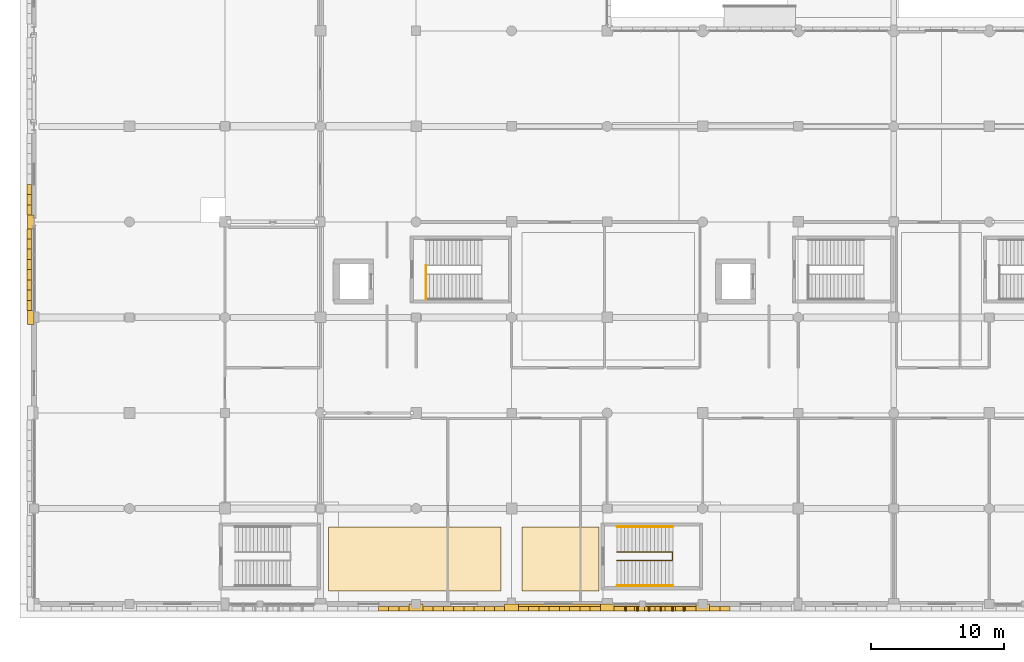
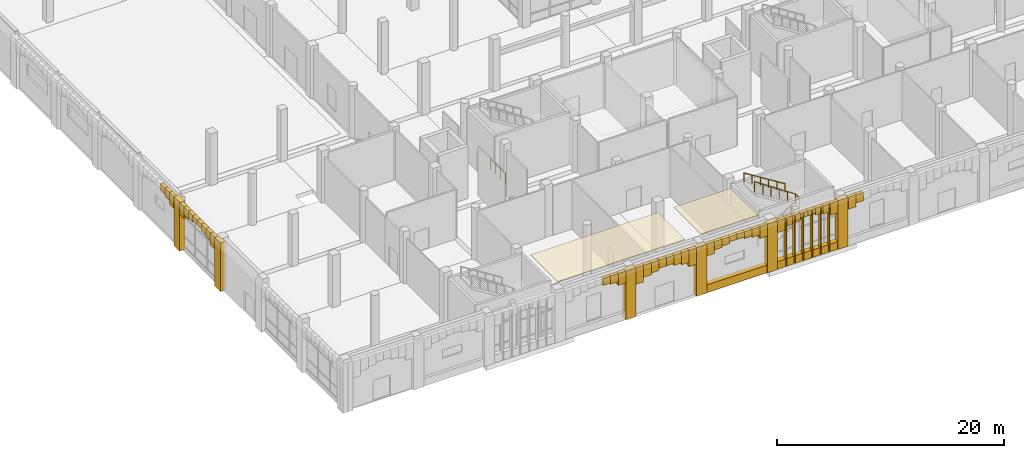
# One storey, part 69 of 85: 56 coverings, 4 railings.
"""IFC4 building model written with IfcOpenShell, lengths in metres."""

from ifc_helpers import new_model, si_unit, direction, frame, frame_2d, origin, origin_2d, place, context, subcontext, project, spatial, polyline, rectangle, circle, outline, extrude, material, layer, layer_set, type_object, element, save


model = new_model("IFC4")

# Units and contexts
model_context = context("Model", 3, precision=1e-05, world=origin(), true_north=direction((0.0, 1.0)))
body_context = subcontext(model_context, "Body", "Model", "MODEL_VIEW")
ifc_project = project(units=[si_unit("LENGTHUNIT", "METRE"), si_unit("AREAUNIT", "SQUARE_METRE"), si_unit("VOLUMEUNIT", "CUBIC_METRE"), si_unit("PLANEANGLEUNIT", "RADIAN"), si_unit("MASSUNIT", "GRAM", prefix="KILO")], contexts=[model_context])

# Site, building, storey
site_placement = place(None, origin())
site = spatial("IfcSite", under=ifc_project, at=site_placement, CompositionType="ELEMENT")
building_placement = place(site_placement, origin())
building = spatial("IfcBuilding", under=site, at=building_placement, Name="Sardonyx Promenade Sports Hall", CompositionType="ELEMENT")
storey_placement = place(building_placement, origin())
storey = spatial("IfcBuildingStorey", under=building, at=storey_placement, Name="L00", CompositionType="ELEMENT", Elevation=0.0)

# Coverings
ifc_material_1 = material(Name="Perforated acoustic mineral-fibre baffle ceiling", Category="other")
ifc_layer_1 = layer(ifc_material_1, 0.0400390625)
ifc_layer_set_1 = layer_set([ifc_layer_1], Name="Cov_Ceil_Acoustic")
covering_type_1 = type_object("IfcCoveringType", Name="Cov_Ceil_Acoustic", PredefinedType="CEILING", material=ifc_layer_set_1)
covering_1_placement = place(storey_placement, frame((0.0, 0.0, 5.280029296875)))
element("IfcCovering", 1, at=covering_1_placement, inside=storey, type_object=covering_type_1, Name="Acoustic baffle ceiling CLG1 L00 #1", PredefinedType="CEILING", context=body_context, shape_type="SweptSolid", body=[
    extrude(outline(polyline([(22.199951171875, 5.800048828125), (22.199951171875, 1.0), (35.199951171875, 1.0), (35.199951171875, 5.800048828125), (22.199951171875, 5.800048828125)])), origin(), (0.0, 0.0, 1.0), 0.0400390625),
])
covering_2_placement = place(storey_placement, frame((0.0, 0.0, 5.280029296875)))
element("IfcCovering", 2, at=covering_2_placement, inside=storey, type_object=covering_type_1, Name="Acoustic baffle ceiling CLG1 L00 #2", PredefinedType="CEILING", context=body_context, shape_type="SweptSolid", body=[
    extrude(outline(polyline([(36.800048828125, 5.800048828125), (36.800048828125, 1.0), (42.60009765625, 1.0), (42.60009765625, 5.800048828125), (36.800048828125, 5.800048828125)])), origin(), (0.0, 0.0, 1.0), 0.0400390625),
])
ifc_material_2 = material(Name="Dressed Cape red sandstone ashlar", Category="masonry")
ifc_layer_2 = layer(ifc_material_2, 0.06005859375)
ifc_layer_set_2 = layer_set([ifc_layer_2], Name="Cov_Cladding_Sandstone")
covering_type_2 = type_object("IfcCoveringType", Name="Cov_Cladding_Sandstone", PredefinedType="CLADDING", material=ifc_layer_set_2)
covering_3_placement = place(storey_placement, origin())
element("IfcCovering", 3, at=covering_3_placement, inside=storey, type_object=covering_type_2, Name="South sandstone bay pier casing L00 #4", PredefinedType="CLADDING", context=body_context, shape_type="SweptSolid", body=[
    extrude(outline(polyline([(28.280029296875, -0.52001953125), (29.320068359375, -0.52001953125), (29.320068359375, 0.02001953125), (28.280029296875, 0.02001953125), (28.280029296875, -0.52001953125)])), origin(), (0.0, 0.0, 1.0), 5.25),
])
covering_4_placement = place(storey_placement, origin())
element("IfcCovering", 4, at=covering_4_placement, inside=storey, type_object=covering_type_2, Name="South sandstone bay pier casing L00 #5", PredefinedType="CLADDING", context=body_context, shape_type="SweptSolid", body=[
    extrude(outline(polyline([(35.47998046875, -0.52001953125), (36.52001953125, -0.52001953125), (36.52001953125, 0.02001953125), (35.47998046875, 0.02001953125), (35.47998046875, -0.52001953125)])), origin(), (0.0, 0.0, 1.0), 5.25),
])
covering_5_placement = place(storey_placement, origin())
element("IfcCovering", 5, at=covering_5_placement, inside=storey, type_object=covering_type_2, Name="South sandstone bay pier casing L00 #6", PredefinedType="CLADDING", context=body_context, shape_type="SweptSolid", body=[
    extrude(outline(polyline([(42.679931640625, -0.52001953125), (43.719970703125, -0.52001953125), (43.719970703125, 0.02001953125), (42.679931640625, 0.02001953125), (42.679931640625, -0.52001953125)])), origin(), (0.0, 0.0, 1.0), 5.25),
])
covering_6_placement = place(storey_placement, origin())
element("IfcCovering", 6, at=covering_6_placement, inside=storey, type_object=covering_type_2, Name="South sandstone bay pier casing L00 #7", PredefinedType="CLADDING", context=body_context, shape_type="SweptSolid", body=[
    extrude(outline(polyline([(49.8798828125, -0.52001953125), (50.919921875, -0.52001953125), (50.919921875, 0.02001953125), (49.8798828125, 0.02001953125), (49.8798828125, -0.52001953125)])), origin(), (0.0, 0.0, 1.0), 5.25),
])
covering_7_placement = place(storey_placement, origin())
element("IfcCovering", 7, at=covering_7_placement, inside=storey, type_object=covering_type_2, Name="South sandstone sill spandrel L00 #16", PredefinedType="CLADDING", context=body_context, shape_type="SweptSolid", body=[
    extrude(outline(polyline([(43.719970703125, -0.4599609375), (49.8798828125, -0.4599609375), (49.8798828125, 0.02001953125), (43.719970703125, 0.02001953125), (43.719970703125, -0.4599609375)])), origin(), (0.0, 0.0, 1.0), 0.820068359375),
])
covering_8_placement = place(storey_placement, origin())
element("IfcCovering", 8, at=covering_8_placement, inside=storey, type_object=covering_type_2, Name="South sandstone sill spandrel L00 #17", PredefinedType="CLADDING", context=body_context, shape_type="SweptSolid", body=[
    extrude(outline(polyline([(36.52001953125, -0.4599609375), (42.679931640625, -0.4599609375), (42.679931640625, 0.02001953125), (36.52001953125, 0.02001953125), (36.52001953125, -0.4599609375)])), origin(), (0.0, 0.0, 1.0), 0.820068359375),
])
covering_9_placement = place(storey_placement, origin())
element("IfcCovering", 9, at=covering_9_placement, inside=storey, type_object=covering_type_2, Name="West sandstone pier casing L00 #3", PredefinedType="CLADDING", context=body_context, shape_type="SweptSolid", body=[
    extrude(outline(polyline([(-0.5, 21.080078125), (0.02001953125, 21.080078125), (0.02001953125, 22.1201171875), (-0.5, 22.1201171875), (-0.5, 21.080078125)])), origin(), (0.0, 0.0, 1.0), 5.25),
])
covering_10_placement = place(storey_placement, origin())
element("IfcCovering", 10, at=covering_10_placement, inside=storey, type_object=covering_type_2, Name="West sandstone pier casing L00 #4", PredefinedType="CLADDING", context=body_context, shape_type="SweptSolid", body=[
    extrude(outline(polyline([(-0.5, 28.280029296875), (0.02001953125, 28.280029296875), (0.02001953125, 29.320068359375), (-0.5, 29.320068359375), (-0.5, 28.280029296875)])), origin(), (0.0, 0.0, 1.0), 5.25),
])
ifc_material_3 = material(Name="Glulam GL28h", Category="wood")
ifc_layer_3 = layer(ifc_material_3, 0.110107421875)
ifc_layer_set_3 = layer_set([ifc_layer_3], Name="Cov_Louvre_GL28h")
covering_type_3 = type_object("IfcCoveringType", Name="Cov_Louvre_GL28h", PredefinedType="MOLDING", material=ifc_layer_set_3)
for number, where, z_axis, x_axis, name in (
    (11, (44.60009765625, -0.3798828125, 0.10009765625), (0.0, 0.0, 1.0), (1.0, 0.0, 0.0), "Mughal jali screen mullion L00 #16-1"),
    (12, (45.47998046875, -0.3798828125, 0.10009765625), (0.0, 0.0, 1.0), (1.0, 0.0, 0.0), "Mughal jali screen mullion L00 #16-2"),
    (13, (46.360107421875, -0.3798828125, 0.10009765625), (0.0, 0.0, 1.0), (1.0, 0.0, 0.0), "Mughal jali screen mullion L00 #16-3"),
    (14, (47.239990234375, -0.3798828125, 0.10009765625), (0.0, 0.0, 1.0), (1.0, 0.0, 0.0), "Mughal jali screen mullion L00 #16-4"),
    (15, (48.1201171875, -0.3798828125, 0.10009765625), (0.0, 0.0, 1.0), (1.0, 0.0, 0.0), "Mughal jali screen mullion L00 #16-5"),
    (16, (49.0, -0.3798828125, 0.10009765625), (0.0, 0.0, 1.0), (1.0, 0.0, 0.0), "Mughal jali screen mullion L00 #16-6"),
):
    element("IfcCovering", number, at=place(storey_placement, frame(where, z_axis=z_axis, x_axis=x_axis)), inside=storey, type_object=covering_type_3, Name=name, PredefinedType="MOLDING", context=body_context, shape_type="SweptSolid", body=[
        extrude(rectangle(XDim=0.10009765625, YDim=0.360107421875, at=origin_2d()), origin(), (0.0, 0.0, 1.0), 5.050048828125),
    ])
ifc_material_4 = material(Name="Carved Cape red sandstone ashlar", Category="masonry")
ifc_layer_4 = layer(ifc_material_4, 0.239990234375)
ifc_layer_set_4 = layer_set([ifc_layer_4], Name="Cov_Mughal_Arch")
covering_type_4 = type_object("IfcCoveringType", Name="Cov_Mughal_Arch", PredefinedType="CLADDING", material=ifc_layer_set_4)
covering_11_placement = place(storey_placement, frame((50.919921875, -0.360107421875, 3.977783203125), z_axis=(0.0, 0.0, 1.0), x_axis=(1.0, 0.0, 0.0)))
element("IfcCovering", 17, at=covering_11_placement, inside=storey, type_object=covering_type_4, Name="Mughal pointed-arch spandrel L00 cov:sl00arch:15 #1", PredefinedType="CLADDING", context=body_context, shape_type="SweptSolid", body=[
    extrude(rectangle(XDim=0.77001953125, YDim=0.340087890625, at=frame_2d((0.385009765625, 0.0))), origin(), (0.0, 0.0, 1.0), 1.272216796875),
])
covering_12_placement = place(storey_placement, frame((51.68994140625, -0.360107421875, 4.3671875), z_axis=(0.0, 0.0, 1.0), x_axis=(1.0, 0.0, 0.0)))
element("IfcCovering", 18, at=covering_12_placement, inside=storey, type_object=covering_type_4, Name="Mughal pointed-arch spandrel L00 cov:sl00arch:15 #2", PredefinedType="CLADDING", context=body_context, shape_type="SweptSolid", body=[
    extrude(rectangle(XDim=0.77001953125, YDim=0.340087890625, at=frame_2d((0.385009765625, 0.0))), origin(), (0.0, 0.0, 1.0), 0.8828125),
])
covering_13_placement = place(storey_placement, frame((43.719970703125, -0.360107421875, 3.977783203125), z_axis=(0.0, 0.0, 1.0), x_axis=(1.0, 0.0, 0.0)))
element("IfcCovering", 19, at=covering_13_placement, inside=storey, type_object=covering_type_4, Name="Mughal pointed-arch spandrel L00 cov:sl00arch:16 #1", PredefinedType="CLADDING", context=body_context, shape_type="SweptSolid", body=[
    extrude(rectangle(XDim=0.77001953125, YDim=0.340087890625, at=frame_2d((0.385009765625, 0.0))), origin(), (0.0, 0.0, 1.0), 1.272216796875),
])
covering_14_placement = place(storey_placement, frame((44.489990234375, -0.360107421875, 4.3671875), z_axis=(0.0, 0.0, 1.0), x_axis=(1.0, 0.0, 0.0)))
element("IfcCovering", 20, at=covering_14_placement, inside=storey, type_object=covering_type_4, Name="Mughal pointed-arch spandrel L00 cov:sl00arch:16 #2", PredefinedType="CLADDING", context=body_context, shape_type="SweptSolid", body=[
    extrude(rectangle(XDim=0.77001953125, YDim=0.340087890625, at=frame_2d((0.385009765625, 0.0))), origin(), (0.0, 0.0, 1.0), 0.8828125),
])
covering_15_placement = place(storey_placement, frame((45.260009765625, -0.360107421875, 4.51220703125), z_axis=(0.0, 0.0, 1.0), x_axis=(1.0, 0.0, 0.0)))
element("IfcCovering", 21, at=covering_15_placement, inside=storey, type_object=covering_type_4, Name="Mughal pointed-arch spandrel L00 cov:sl00arch:16 #3", PredefinedType="CLADDING", context=body_context, shape_type="SweptSolid", body=[
    extrude(rectangle(XDim=0.77001953125, YDim=0.340087890625, at=frame_2d((0.385009765625, 0.0))), origin(), (0.0, 0.0, 1.0), 0.73779296875),
])
for number, where, z_axis, x_axis, name in (
    (22, (46.030029296875, -0.360107421875, 4.69775390625), (0.0, 0.0, 1.0), (1.0, 0.0, 0.0), "Mughal pointed-arch spandrel L00 cov:sl00arch:16 #4"),
    (23, (46.800048828125, -0.360107421875, 4.69775390625), (0.0, 0.0, 1.0), (1.0, 0.0, 0.0), "Mughal pointed-arch spandrel L00 cov:sl00arch:16 #5"),
):
    element("IfcCovering", number, at=place(storey_placement, frame(where, z_axis=z_axis, x_axis=x_axis)), inside=storey, type_object=covering_type_4, Name=name, PredefinedType="CLADDING", context=body_context, shape_type="SweptSolid", body=[
        extrude(rectangle(XDim=0.77001953125, YDim=0.340087890625, at=frame_2d((0.385009765625, 0.0))), origin(), (0.0, 0.0, 1.0), 0.55224609375),
    ])
covering_16_placement = place(storey_placement, frame((47.570068359375, -0.360107421875, 4.51220703125), z_axis=(0.0, 0.0, 1.0), x_axis=(1.0, 0.0, 0.0)))
element("IfcCovering", 24, at=covering_16_placement, inside=storey, type_object=covering_type_4, Name="Mughal pointed-arch spandrel L00 cov:sl00arch:16 #6", PredefinedType="CLADDING", context=body_context, shape_type="SweptSolid", body=[
    extrude(rectangle(XDim=0.77001953125, YDim=0.340087890625, at=frame_2d((0.385009765625, 0.0))), origin(), (0.0, 0.0, 1.0), 0.73779296875),
])
covering_17_placement = place(storey_placement, frame((48.340087890625, -0.360107421875, 4.3671875), z_axis=(0.0, 0.0, 1.0), x_axis=(1.0, 0.0, 0.0)))
element("IfcCovering", 25, at=covering_17_placement, inside=storey, type_object=covering_type_4, Name="Mughal pointed-arch spandrel L00 cov:sl00arch:16 #7", PredefinedType="CLADDING", context=body_context, shape_type="SweptSolid", body=[
    extrude(rectangle(XDim=0.77001953125, YDim=0.340087890625, at=frame_2d((0.385009765625, 0.0))), origin(), (0.0, 0.0, 1.0), 0.8828125),
])
covering_18_placement = place(storey_placement, frame((49.110107421875, -0.360107421875, 3.977783203125), z_axis=(0.0, 0.0, 1.0), x_axis=(1.0, 0.0, 0.0)))
element("IfcCovering", 26, at=covering_18_placement, inside=storey, type_object=covering_type_4, Name="Mughal pointed-arch spandrel L00 cov:sl00arch:16 #8", PredefinedType="CLADDING", context=body_context, shape_type="SweptSolid", body=[
    extrude(rectangle(XDim=0.769775390625, YDim=0.340087890625, at=frame_2d((0.384765625, 0.0))), origin(), (0.0, 0.0, 1.0), 1.272216796875),
])
covering_19_placement = place(storey_placement, frame((36.52001953125, -0.360107421875, 3.977783203125), z_axis=(0.0, 0.0, 1.0), x_axis=(1.0, 0.0, 0.0)))
element("IfcCovering", 27, at=covering_19_placement, inside=storey, type_object=covering_type_4, Name="Mughal pointed-arch spandrel L00 cov:sl00arch:17 #1", PredefinedType="CLADDING", context=body_context, shape_type="SweptSolid", body=[
    extrude(rectangle(XDim=0.77001953125, YDim=0.340087890625, at=frame_2d((0.385009765625, 0.0))), origin(), (0.0, 0.0, 1.0), 1.272216796875),
])
covering_20_placement = place(storey_placement, frame((37.2900390625, -0.360107421875, 4.3671875), z_axis=(0.0, 0.0, 1.0), x_axis=(1.0, 0.0, 0.0)))
element("IfcCovering", 28, at=covering_20_placement, inside=storey, type_object=covering_type_4, Name="Mughal pointed-arch spandrel L00 cov:sl00arch:17 #2", PredefinedType="CLADDING", context=body_context, shape_type="SweptSolid", body=[
    extrude(rectangle(XDim=0.77001953125, YDim=0.340087890625, at=frame_2d((0.385009765625, 0.0))), origin(), (0.0, 0.0, 1.0), 0.8828125),
])
covering_21_placement = place(storey_placement, frame((38.06005859375, -0.360107421875, 4.51220703125), z_axis=(0.0, 0.0, 1.0), x_axis=(1.0, 0.0, 0.0)))
element("IfcCovering", 29, at=covering_21_placement, inside=storey, type_object=covering_type_4, Name="Mughal pointed-arch spandrel L00 cov:sl00arch:17 #3", PredefinedType="CLADDING", context=body_context, shape_type="SweptSolid", body=[
    extrude(rectangle(XDim=0.77001953125, YDim=0.340087890625, at=frame_2d((0.385009765625, 0.0))), origin(), (0.0, 0.0, 1.0), 0.73779296875),
])
for number, where, z_axis, x_axis, name in (
    (30, (38.830078125, -0.360107421875, 4.69775390625), (0.0, 0.0, 1.0), (1.0, 0.0, 0.0), "Mughal pointed-arch spandrel L00 cov:sl00arch:17 #4"),
    (31, (39.60009765625, -0.360107421875, 4.69775390625), (0.0, 0.0, 1.0), (1.0, 0.0, 0.0), "Mughal pointed-arch spandrel L00 cov:sl00arch:17 #5"),
):
    element("IfcCovering", number, at=place(storey_placement, frame(where, z_axis=z_axis, x_axis=x_axis)), inside=storey, type_object=covering_type_4, Name=name, PredefinedType="CLADDING", context=body_context, shape_type="SweptSolid", body=[
        extrude(rectangle(XDim=0.77001953125, YDim=0.340087890625, at=frame_2d((0.385009765625, 0.0))), origin(), (0.0, 0.0, 1.0), 0.55224609375),
    ])
covering_22_placement = place(storey_placement, frame((40.3701171875, -0.360107421875, 4.51220703125), z_axis=(0.0, 0.0, 1.0), x_axis=(1.0, 0.0, 0.0)))
element("IfcCovering", 32, at=covering_22_placement, inside=storey, type_object=covering_type_4, Name="Mughal pointed-arch spandrel L00 cov:sl00arch:17 #6", PredefinedType="CLADDING", context=body_context, shape_type="SweptSolid", body=[
    extrude(rectangle(XDim=0.769775390625, YDim=0.340087890625, at=frame_2d((0.384765625, 0.0))), origin(), (0.0, 0.0, 1.0), 0.73779296875),
])
covering_23_placement = place(storey_placement, frame((41.139892578125, -0.360107421875, 4.3671875), z_axis=(0.0, 0.0, 1.0), x_axis=(1.0, 0.0, 0.0)))
element("IfcCovering", 33, at=covering_23_placement, inside=storey, type_object=covering_type_4, Name="Mughal pointed-arch spandrel L00 cov:sl00arch:17 #7", PredefinedType="CLADDING", context=body_context, shape_type="SweptSolid", body=[
    extrude(rectangle(XDim=0.77001953125, YDim=0.340087890625, at=frame_2d((0.385009765625, 0.0))), origin(), (0.0, 0.0, 1.0), 0.8828125),
])
covering_24_placement = place(storey_placement, frame((41.909912109375, -0.360107421875, 3.977783203125), z_axis=(0.0, 0.0, 1.0), x_axis=(1.0, 0.0, 0.0)))
element("IfcCovering", 34, at=covering_24_placement, inside=storey, type_object=covering_type_4, Name="Mughal pointed-arch spandrel L00 cov:sl00arch:17 #8", PredefinedType="CLADDING", context=body_context, shape_type="SweptSolid", body=[
    extrude(rectangle(XDim=0.77001953125, YDim=0.340087890625, at=frame_2d((0.385009765625, 0.0))), origin(), (0.0, 0.0, 1.0), 1.272216796875),
])
covering_25_placement = place(storey_placement, frame((29.320068359375, -0.360107421875, 3.463134765625), z_axis=(0.0, 0.0, 1.0), x_axis=(1.0, 0.0, 0.0)))
element("IfcCovering", 35, at=covering_25_placement, inside=storey, type_object=covering_type_4, Name="Mughal pointed-arch spandrel L00 cov:sdoorarch:18 #1", PredefinedType="CLADDING", context=body_context, shape_type="SweptSolid", body=[
    extrude(rectangle(XDim=0.77001953125, YDim=0.360107421875, at=frame_2d((0.385009765625, 0.0))), origin(), (0.0, 0.0, 1.0), 1.786865234375),
])
covering_26_placement = place(storey_placement, frame((30.090087890625, -0.360107421875, 3.9541015625), z_axis=(0.0, 0.0, 1.0), x_axis=(1.0, 0.0, 0.0)))
element("IfcCovering", 36, at=covering_26_placement, inside=storey, type_object=covering_type_4, Name="Mughal pointed-arch spandrel L00 cov:sdoorarch:18 #2", PredefinedType="CLADDING", context=body_context, shape_type="SweptSolid", body=[
    extrude(rectangle(XDim=0.77001953125, YDim=0.360107421875, at=frame_2d((0.385009765625, 0.0))), origin(), (0.0, 0.0, 1.0), 1.2958984375),
])
covering_27_placement = place(storey_placement, frame((30.860107421875, -0.360107421875, 4.13720703125), z_axis=(0.0, 0.0, 1.0), x_axis=(1.0, 0.0, 0.0)))
element("IfcCovering", 37, at=covering_27_placement, inside=storey, type_object=covering_type_4, Name="Mughal pointed-arch spandrel L00 cov:sdoorarch:18 #3", PredefinedType="CLADDING", context=body_context, shape_type="SweptSolid", body=[
    extrude(rectangle(XDim=0.769775390625, YDim=0.360107421875, at=frame_2d((0.384765625, 0.0))), origin(), (0.0, 0.0, 1.0), 1.11279296875),
])
for number, where, z_axis, x_axis, name in (
    (38, (31.6298828125, -0.360107421875, 4.37109375), (0.0, 0.0, 1.0), (1.0, 0.0, 0.0), "Mughal pointed-arch spandrel L00 cov:sdoorarch:18 #4"),
    (39, (32.39990234375, -0.360107421875, 4.37109375), (0.0, 0.0, 1.0), (1.0, 0.0, 0.0), "Mughal pointed-arch spandrel L00 cov:sdoorarch:18 #5"),
):
    element("IfcCovering", number, at=place(storey_placement, frame(where, z_axis=z_axis, x_axis=x_axis)), inside=storey, type_object=covering_type_4, Name=name, PredefinedType="CLADDING", context=body_context, shape_type="SweptSolid", body=[
        extrude(rectangle(XDim=0.77001953125, YDim=0.360107421875, at=frame_2d((0.385009765625, 0.0))), origin(), (0.0, 0.0, 1.0), 0.87890625),
    ])
covering_28_placement = place(storey_placement, frame((33.169921875, -0.360107421875, 4.13720703125), z_axis=(0.0, 0.0, 1.0), x_axis=(1.0, 0.0, 0.0)))
element("IfcCovering", 40, at=covering_28_placement, inside=storey, type_object=covering_type_4, Name="Mughal pointed-arch spandrel L00 cov:sdoorarch:18 #6", PredefinedType="CLADDING", context=body_context, shape_type="SweptSolid", body=[
    extrude(rectangle(XDim=0.77001953125, YDim=0.360107421875, at=frame_2d((0.385009765625, 0.0))), origin(), (0.0, 0.0, 1.0), 1.11279296875),
])
covering_29_placement = place(storey_placement, frame((33.93994140625, -0.360107421875, 3.9541015625), z_axis=(0.0, 0.0, 1.0), x_axis=(1.0, 0.0, 0.0)))
element("IfcCovering", 41, at=covering_29_placement, inside=storey, type_object=covering_type_4, Name="Mughal pointed-arch spandrel L00 cov:sdoorarch:18 #7", PredefinedType="CLADDING", context=body_context, shape_type="SweptSolid", body=[
    extrude(rectangle(XDim=0.77001953125, YDim=0.360107421875, at=frame_2d((0.385009765625, 0.0))), origin(), (0.0, 0.0, 1.0), 1.2958984375),
])
covering_30_placement = place(storey_placement, frame((34.7099609375, -0.360107421875, 3.463134765625), z_axis=(0.0, 0.0, 1.0), x_axis=(1.0, 0.0, 0.0)))
element("IfcCovering", 42, at=covering_30_placement, inside=storey, type_object=covering_type_4, Name="Mughal pointed-arch spandrel L00 cov:sdoorarch:18 #8", PredefinedType="CLADDING", context=body_context, shape_type="SweptSolid", body=[
    extrude(rectangle(XDim=0.77001953125, YDim=0.360107421875, at=frame_2d((0.385009765625, 0.0))), origin(), (0.0, 0.0, 1.0), 1.786865234375),
])
covering_31_placement = place(storey_placement, frame((25.969970703125, -0.360107421875, 4.51220703125), z_axis=(0.0, 0.0, 1.0), x_axis=(1.0, 0.0, 0.0)))
element("IfcCovering", 43, at=covering_31_placement, inside=storey, type_object=covering_type_4, Name="Mughal pointed-arch spandrel L00 cov:sl00arch:19 #6", PredefinedType="CLADDING", context=body_context, shape_type="SweptSolid", body=[
    extrude(rectangle(XDim=0.77001953125, YDim=0.340087890625, at=frame_2d((0.385009765625, 0.0))), origin(), (0.0, 0.0, 1.0), 0.73779296875),
])
covering_32_placement = place(storey_placement, frame((26.739990234375, -0.360107421875, 4.3671875), z_axis=(0.0, 0.0, 1.0), x_axis=(1.0, 0.0, 0.0)))
element("IfcCovering", 44, at=covering_32_placement, inside=storey, type_object=covering_type_4, Name="Mughal pointed-arch spandrel L00 cov:sl00arch:19 #7", PredefinedType="CLADDING", context=body_context, shape_type="SweptSolid", body=[
    extrude(rectangle(XDim=0.77001953125, YDim=0.340087890625, at=frame_2d((0.385009765625, 0.0))), origin(), (0.0, 0.0, 1.0), 0.8828125),
])
covering_33_placement = place(storey_placement, frame((27.510009765625, -0.360107421875, 3.977783203125), z_axis=(0.0, 0.0, 1.0), x_axis=(1.0, 0.0, 0.0)))
element("IfcCovering", 45, at=covering_33_placement, inside=storey, type_object=covering_type_4, Name="Mughal pointed-arch spandrel L00 cov:sl00arch:19 #8", PredefinedType="CLADDING", context=body_context, shape_type="SweptSolid", body=[
    extrude(rectangle(XDim=0.77001953125, YDim=0.340087890625, at=frame_2d((0.385009765625, 0.0))), origin(), (0.0, 0.0, 1.0), 1.272216796875),
])
covering_34_placement = place(storey_placement, frame((-0.340087890625, 22.1201171875, 3.977783203125), z_axis=(0.0, 0.0, 1.0), x_axis=(0.0, 1.0, 0.0)))
element("IfcCovering", 46, at=covering_34_placement, inside=storey, type_object=covering_type_4, Name="Mughal pointed-arch spandrel L00 cov:wl00arch:03 #1", PredefinedType="CLADDING", context=body_context, shape_type="SweptSolid", body=[
    extrude(rectangle(XDim=0.769775390625, YDim=0.340087890625, at=frame_2d((0.384765625, 0.0))), origin(), (0.0, 0.0, 1.0), 1.272216796875),
])
covering_35_placement = place(storey_placement, frame((-0.340087890625, 22.889892578125, 4.3671875), z_axis=(0.0, 0.0, 1.0), x_axis=(0.0, 1.0, 0.0)))
element("IfcCovering", 47, at=covering_35_placement, inside=storey, type_object=covering_type_4, Name="Mughal pointed-arch spandrel L00 cov:wl00arch:03 #2", PredefinedType="CLADDING", context=body_context, shape_type="SweptSolid", body=[
    extrude(rectangle(XDim=0.77001953125, YDim=0.340087890625, at=frame_2d((0.385009765625, 0.0))), origin(), (0.0, 0.0, 1.0), 0.8828125),
])
covering_36_placement = place(storey_placement, frame((-0.340087890625, 23.659912109375, 4.51220703125), z_axis=(0.0, 0.0, 1.0), x_axis=(0.0, 1.0, 0.0)))
element("IfcCovering", 48, at=covering_36_placement, inside=storey, type_object=covering_type_4, Name="Mughal pointed-arch spandrel L00 cov:wl00arch:03 #3", PredefinedType="CLADDING", context=body_context, shape_type="SweptSolid", body=[
    extrude(rectangle(XDim=0.77001953125, YDim=0.340087890625, at=frame_2d((0.385009765625, 0.0))), origin(), (0.0, 0.0, 1.0), 0.73779296875),
])
for number, where, z_axis, x_axis, name in (
    (49, (-0.340087890625, 24.429931640625, 4.69775390625), (0.0, 0.0, 1.0), (0.0, 1.0, 0.0), "Mughal pointed-arch spandrel L00 cov:wl00arch:03 #4"),
    (50, (-0.340087890625, 25.199951171875, 4.69775390625), (0.0, 0.0, 1.0), (0.0, 1.0, 0.0), "Mughal pointed-arch spandrel L00 cov:wl00arch:03 #5"),
):
    element("IfcCovering", number, at=place(storey_placement, frame(where, z_axis=z_axis, x_axis=x_axis)), inside=storey, type_object=covering_type_4, Name=name, PredefinedType="CLADDING", context=body_context, shape_type="SweptSolid", body=[
        extrude(rectangle(XDim=0.77001953125, YDim=0.340087890625, at=frame_2d((0.385009765625, 0.0))), origin(), (0.0, 0.0, 1.0), 0.55224609375),
    ])
covering_37_placement = place(storey_placement, frame((-0.340087890625, 25.969970703125, 4.51220703125), z_axis=(0.0, 0.0, 1.0), x_axis=(0.0, 1.0, 0.0)))
element("IfcCovering", 51, at=covering_37_placement, inside=storey, type_object=covering_type_4, Name="Mughal pointed-arch spandrel L00 cov:wl00arch:03 #6", PredefinedType="CLADDING", context=body_context, shape_type="SweptSolid", body=[
    extrude(rectangle(XDim=0.77001953125, YDim=0.340087890625, at=frame_2d((0.385009765625, 0.0))), origin(), (0.0, 0.0, 1.0), 0.73779296875),
])
covering_38_placement = place(storey_placement, frame((-0.340087890625, 26.739990234375, 4.3671875), z_axis=(0.0, 0.0, 1.0), x_axis=(0.0, 1.0, 0.0)))
element("IfcCovering", 52, at=covering_38_placement, inside=storey, type_object=covering_type_4, Name="Mughal pointed-arch spandrel L00 cov:wl00arch:03 #7", PredefinedType="CLADDING", context=body_context, shape_type="SweptSolid", body=[
    extrude(rectangle(XDim=0.77001953125, YDim=0.340087890625, at=frame_2d((0.385009765625, 0.0))), origin(), (0.0, 0.0, 1.0), 0.8828125),
])
for number, where, z_axis, x_axis, name in (
    (53, (-0.340087890625, 27.510009765625, 3.977783203125), (0.0, 0.0, 1.0), (0.0, 1.0, 0.0), "Mughal pointed-arch spandrel L00 cov:wl00arch:03 #8"),
    (54, (-0.340087890625, 29.320068359375, 3.977783203125), (0.0, 0.0, 1.0), (0.0, 1.0, 0.0), "Mughal pointed-arch spandrel L00 cov:wl00arch:04 #1"),
):
    element("IfcCovering", number, at=place(storey_placement, frame(where, z_axis=z_axis, x_axis=x_axis)), inside=storey, type_object=covering_type_4, Name=name, PredefinedType="CLADDING", context=body_context, shape_type="SweptSolid", body=[
        extrude(rectangle(XDim=0.77001953125, YDim=0.340087890625, at=frame_2d((0.385009765625, 0.0))), origin(), (0.0, 0.0, 1.0), 1.272216796875),
    ])
covering_39_placement = place(storey_placement, frame((-0.340087890625, 30.090087890625, 4.3671875), z_axis=(0.0, 0.0, 1.0), x_axis=(0.0, 1.0, 0.0)))
element("IfcCovering", 55, at=covering_39_placement, inside=storey, type_object=covering_type_4, Name="Mughal pointed-arch spandrel L00 cov:wl00arch:04 #2", PredefinedType="CLADDING", context=body_context, shape_type="SweptSolid", body=[
    extrude(rectangle(XDim=0.77001953125, YDim=0.340087890625, at=frame_2d((0.385009765625, 0.0))), origin(), (0.0, 0.0, 1.0), 0.8828125),
])
covering_40_placement = place(storey_placement, frame((-0.340087890625, 30.860107421875, 4.51220703125), z_axis=(0.0, 0.0, 1.0), x_axis=(0.0, 1.0, 0.0)))
element("IfcCovering", 56, at=covering_40_placement, inside=storey, type_object=covering_type_4, Name="Mughal pointed-arch spandrel L00 cov:wl00arch:04 #3", PredefinedType="CLADDING", context=body_context, shape_type="SweptSolid", body=[
    extrude(rectangle(XDim=0.769775390625, YDim=0.340087890625, at=frame_2d((0.384765625, 0.0))), origin(), (0.0, 0.0, 1.0), 0.73779296875),
])

# Railings
ifc_material_5 = material(Name="Powder-coated Steel S355JR", Category="steel")
railing_type_1 = type_object("IfcRailingType", Name="Rail_Int_Guard_1100", PredefinedType="GUARDRAIL", material=ifc_material_5)
railing_1_placement = place(storey_placement, frame((29.56005859375, 22.945068359375, 0.0)))
element("IfcRailing", 57, at=railing_1_placement, inside=storey, type_object=railing_type_1, Name="Stair floor-edge guard ST1 L00", PredefinedType="GUARDRAIL", context=body_context, shape_type="SweptSolid", body=[
    extrude(circle(Radius=0.02392578125, at=origin_2d()), frame((0.0, 0.0, 1.09619140625), z_axis=(0.0, 1.0, 0.0), x_axis=(-1.0, 0.0, 0.0)), (0.0, 0.0, 1.0), 2.56982421875),
    extrude(circle(Radius=0.02392578125, at=origin_2d()), frame((0.0, 2.56982421875, 1.09619140625), z_axis=(-1.0, 0.0, 0.0), x_axis=(0.0, -1.0, 0.0)), (0.0, 0.0, 1.0), 0.010009765625),
    extrude(circle(Radius=0.02099609375, at=origin_2d()), origin(), (0.0, 0.0, 1.0), 1.072021484375),
    extrude(circle(Radius=0.02099609375, at=origin_2d()), frame((0.0, 0.856689453125, 0.0)), (0.0, 0.0, 1.0), 1.072021484375),
    extrude(circle(Radius=0.02099609375, at=origin_2d()), frame((0.0, 1.713134765625, 0.0)), (0.0, 0.0, 1.0), 1.072021484375),
    extrude(circle(Radius=0.02099609375, at=origin_2d()), frame((0.0, 2.56982421875, 0.0)), (0.0, 0.0, 1.0), 1.072021484375),
    extrude(circle(Radius=0.02099609375, at=origin_2d()), frame((-0.010009765625, 2.56982421875, 0.0)), (0.0, 0.0, 1.0), 1.072021484375),
])
railing_2_placement = place(storey_placement, frame((43.949951171875, 3.284912109375, 0.175048828125)))
element("IfcRailing", 58, at=railing_2_placement, inside=storey, type_object=railing_type_1, Name="Stair inner well guard ST6 L00", PredefinedType="GUARDRAIL", context=body_context, shape_type="SweptSolid", body=[
    extrude(circle(Radius=0.02392578125, at=origin_2d()), frame((0.0, 0.0, 1.09619140625), z_axis=(0.846854242419, 0.0, 0.531825057794), x_axis=(0.0, 1.0, 0.0)), (0.0, 0.0, 1.0), 4.935791015625),
    extrude(circle(Radius=0.02392578125, at=origin_2d()), frame((4.179931640625, 0.0, 3.72119140625), z_axis=(0.0, 1.0, 0.0), x_axis=(-1.0, 0.0, 0.0)), (0.0, 0.0, 1.0), 0.630126953125),
    extrude(circle(Radius=0.02392578125, at=origin_2d()), frame((4.179931640625, 0.630126953125, 3.72119140625), z_axis=(-0.830816424754, 0.0, 0.556546555429), x_axis=(0.0, -1.0, 0.0)), (0.0, 0.0, 1.0), 5.031005859375),
    extrude(circle(Radius=0.02099609375, at=origin_2d()), origin(), (0.0, 0.0, 1.0), 1.072021484375),
    extrude(circle(Radius=0.02099609375, at=origin_2d()), frame((0.8359375, 0.0, 0.52490234375)), (0.0, 0.0, 1.0), 1.072021484375),
    extrude(circle(Radius=0.02099609375, at=origin_2d()), frame((1.671875, 0.0, 1.050048828125)), (0.0, 0.0, 1.0), 1.072021484375),
    extrude(circle(Radius=0.02099609375, at=origin_2d()), frame((2.508056640625, 0.0, 1.574951171875)), (0.0, 0.0, 1.0), 1.072021484375),
    extrude(circle(Radius=0.02099609375, at=origin_2d()), frame((3.343994140625, 0.0, 2.10009765625)), (0.0, 0.0, 1.0), 1.072021484375),
    extrude(circle(Radius=0.02099609375, at=origin_2d()), frame((4.179931640625, 0.0, 2.625)), (0.0, 0.0, 1.0), 1.072021484375),
    extrude(circle(Radius=0.02099609375, at=origin_2d()), frame((4.179931640625, 0.630126953125, 2.625)), (0.0, 0.0, 1.0), 1.072021484375),
    extrude(circle(Radius=0.02099609375, at=origin_2d()), frame((3.343994140625, 0.630126953125, 3.18505859375)), (0.0, 0.0, 1.0), 1.072021484375),
    extrude(circle(Radius=0.02099609375, at=origin_2d()), frame((2.508056640625, 0.630126953125, 3.7451171875)), (0.0, 0.0, 1.0), 1.072021484375),
    extrude(circle(Radius=0.02099609375, at=origin_2d()), frame((1.671875, 0.630126953125, 4.304931640625)), (0.0, 0.0, 1.0), 1.072021484375),
    extrude(circle(Radius=0.02099609375, at=origin_2d()), frame((0.8359375, 0.630126953125, 4.864990234375)), (0.0, 0.0, 1.0), 1.072021484375),
    extrude(circle(Radius=0.02099609375, at=origin_2d()), frame((0.0, 0.630126953125, 5.425048828125)), (0.0, 0.0, 1.0), 1.072021484375),
])
ifc_material_6 = material(Name="Brushed stainless steel Grade 304", Category="steel")
railing_type_2 = type_object("IfcRailingType", Name="Rail_Int_Handrail_900", PredefinedType="HANDRAIL", material=ifc_material_6)
railing_3_placement = place(storey_placement, frame((43.949951171875, 1.375, 0.175048828125)))
element("IfcRailing", 59, at=railing_3_placement, inside=storey, type_object=railing_type_2, Name="Stair handrail ST6 L00 F1", PredefinedType="HANDRAIL", context=body_context, shape_type="SweptSolid", body=[
    extrude(circle(Radius=0.02392578125, at=origin_2d()), frame((0.0, 0.0, 0.8759765625), z_axis=(0.847995534698, 0.0, 0.530003370869), x_axis=(0.0, 1.0, 0.0)), (0.0, 0.0, 1.0), 4.952880859375),
    extrude(circle(Radius=0.02099609375, at=origin_2d()), origin(), (0.0, 0.0, 1.0), 0.851806640625),
    extrude(circle(Radius=0.02099609375, at=origin_2d()), frame((0.840087890625, 0.0, 0.52490234375)), (0.0, 0.0, 1.0), 0.851806640625),
    extrude(circle(Radius=0.02099609375, at=origin_2d()), frame((1.679931640625, 0.0, 1.050048828125)), (0.0, 0.0, 1.0), 0.851806640625),
    extrude(circle(Radius=0.02099609375, at=origin_2d()), frame((2.52001953125, 0.0, 1.574951171875)), (0.0, 0.0, 1.0), 0.851806640625),
    extrude(circle(Radius=0.02099609375, at=origin_2d()), frame((3.35986328125, 0.0, 2.10009765625)), (0.0, 0.0, 1.0), 0.851806640625),
    extrude(circle(Radius=0.02099609375, at=origin_2d()), frame((4.199951171875, 0.0, 2.625)), (0.0, 0.0, 1.0), 0.851806640625),
])
railing_4_placement = place(storey_placement, frame((48.14990234375, 5.824951171875, 2.97509765625)))
element("IfcRailing", 60, at=railing_4_placement, inside=storey, type_object=railing_type_2, Name="Stair handrail ST6 L00 F2", PredefinedType="HANDRAIL", context=body_context, shape_type="SweptSolid", body=[
    extrude(circle(Radius=0.02392578125, at=origin_2d()), frame((0.0, 0.0, 0.8759765625), z_axis=(-0.847995534698, 0.0, 0.530003370869), x_axis=(0.0, -1.0, 0.0)), (0.0, 0.0, 1.0), 4.952880859375),
    extrude(circle(Radius=0.02099609375, at=origin_2d()), origin(), (0.0, 0.0, 1.0), 0.851806640625),
    extrude(circle(Radius=0.02099609375, at=origin_2d()), frame((-0.840087890625, 0.0, 0.52490234375)), (0.0, 0.0, 1.0), 0.851806640625),
    extrude(circle(Radius=0.02099609375, at=origin_2d()), frame((-1.679931640625, 0.0, 1.050048828125)), (0.0, 0.0, 1.0), 0.851806640625),
    extrude(circle(Radius=0.02099609375, at=origin_2d()), frame((-2.52001953125, 0.0, 1.574951171875)), (0.0, 0.0, 1.0), 0.851806640625),
    extrude(circle(Radius=0.02099609375, at=origin_2d()), frame((-3.35986328125, 0.0, 2.10009765625)), (0.0, 0.0, 1.0), 0.851806640625),
    extrude(circle(Radius=0.02099609375, at=origin_2d()), frame((-4.199951171875, 0.0, 2.625)), (0.0, 0.0, 1.0), 0.851806640625),
])

save(model, "model.ifc")
